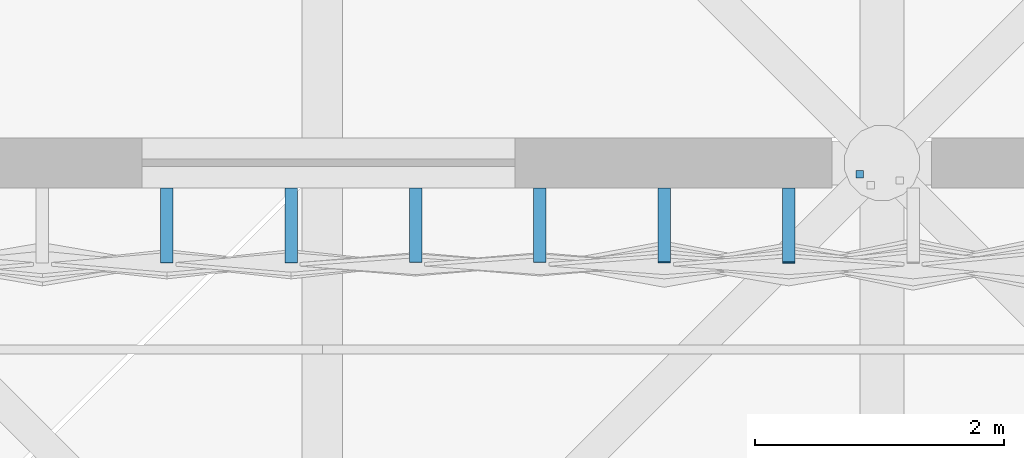
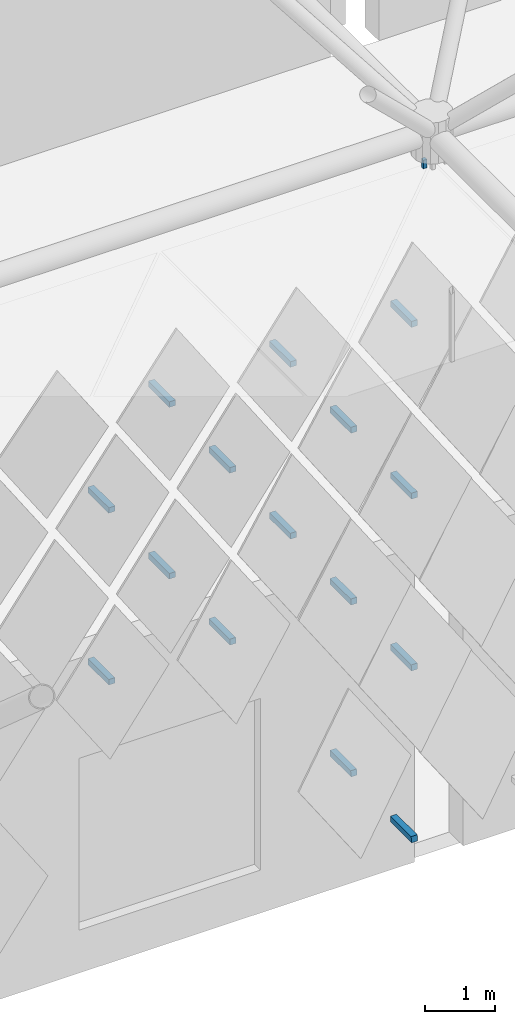
# One storey, part 368 of 437: 16 discrete accessories.
"""IFC4 building model written with IfcOpenShell, lengths in metres."""

from ifc_helpers import new_model, si_unit, direction, frame, origin, place, context, subcontext, project, spatial, polyline, outline, extrude, material, type_object, element, save


model = new_model("IFC4")

# Units and contexts
model_context = context("Model", 3, precision=1e-05, world=origin(), true_north=direction((0.0, 1.0)))
body_context = subcontext(model_context, "Body", "Model", "MODEL_VIEW")
ifc_project = project(units=[si_unit("LENGTHUNIT", "METRE"), si_unit("AREAUNIT", "SQUARE_METRE"), si_unit("VOLUMEUNIT", "CUBIC_METRE"), si_unit("PLANEANGLEUNIT", "RADIAN"), si_unit("MASSUNIT", "GRAM", prefix="KILO")], contexts=[model_context])

# Site, building, storey
site_placement = place(None, origin())
site = spatial("IfcSite", under=ifc_project, at=site_placement, CompositionType="ELEMENT")
building_placement = place(site_placement, origin())
building = spatial("IfcBuilding", under=site, at=building_placement, Name="Opaline Strait Convention Centre", CompositionType="ELEMENT")
storey_placement = place(building_placement, frame((0.0, 0.0, 11.5)))
storey = spatial("IfcBuildingStorey", under=building, at=storey_placement, Name="L02", CompositionType="ELEMENT", Elevation=11.5)

# Discrete accessories
ifc_material = material(Name="Steel Q355B", Category="steel")
discrete_accessory_type_1 = type_object("IfcDiscreteAccessoryType", Name="Soffit hanger 60x60 steel", PredefinedType="BRACKET", material=ifc_material)
discrete_accessory_1_placement = place(storey_placement, frame((0.0, 0.0, 11.989990234375)))
element("IfcDiscreteAccessory", 1, at=discrete_accessory_1_placement, inside=storey, type_object=discrete_accessory_type_1, Name="Soffit hanger", PredefinedType="BRACKET", context=body_context, shape_type="SweptSolid", body=[
    extrude(outline(polyline([(197.791015625, 53.880859375), (197.85107421875, 53.880859375), (197.85107421875, 53.940673828125), (197.791015625, 53.940673828125), (197.791015625, 53.880859375)])), origin(), (0.0, 0.0, 1.0), 0.14990234375),
])
discrete_accessory_type_2 = type_object("IfcDiscreteAccessoryType", Name="Tile bracket 100x100 steel", PredefinedType="BRACKET", material=ifc_material)
discrete_accessory_2_placement = place(storey_placement, frame((197.199951171875, 53.800048828125, 0.89208984375), z_axis=(1.0, 0.0, 0.0), x_axis=(0.0, 1.0, 0.0)))
element("IfcDiscreteAccessory", 2, at=discrete_accessory_2_placement, inside=storey, type_object=discrete_accessory_type_2, Name="Tile bracket XT16 S", PredefinedType="BRACKET", context=body_context, shape_type="SweptSolid", body=[
    extrude(outline(polyline([(0.0, -0.050048828125), (0.0, 0.050048828125), (-0.593017578125, 0.050048828125), (-0.60693359375, -0.050048828125), (0.0, -0.050048828125)])), origin(), (0.0, 0.0, 1.0), 0.10009765625),
])
discrete_accessory_3_placement = place(storey_placement, frame((196.199951171875, 53.800048828125, 2.39208984375), z_axis=(1.0, 0.0, 0.0), x_axis=(0.0, 1.0, 0.0)))
element("IfcDiscreteAccessory", 3, at=discrete_accessory_3_placement, inside=storey, type_object=discrete_accessory_type_2, Name="Tile bracket XT14 S", PredefinedType="BRACKET", context=body_context, shape_type="SweptSolid", body=[
    extrude(outline(polyline([(0.0, -0.050048828125), (0.0, 0.050048828125), (-0.59375, 0.050048828125), (-0.606201171875, -0.050048828125), (0.0, -0.050048828125)])), origin(), (0.0, 0.0, 1.0), 0.10009765625),
])
discrete_accessory_4_placement = place(storey_placement, frame((197.199951171875, 53.800048828125, 3.89208984375), z_axis=(1.0, 0.0, 0.0), x_axis=(0.0, 1.0, 0.0)))
element("IfcDiscreteAccessory", 4, at=discrete_accessory_4_placement, inside=storey, type_object=discrete_accessory_type_2, Name="Tile bracket XT13 S", PredefinedType="BRACKET", context=body_context, shape_type="SweptSolid", body=[
    extrude(outline(polyline([(0.0, -0.050048828125), (0.0, 0.050048828125), (-0.59423828125, 0.050048828125), (-0.605712890625, -0.050048828125), (0.0, -0.050048828125)])), origin(), (0.0, 0.0, 1.0), 0.10009765625),
])
discrete_accessory_5_placement = place(storey_placement, frame((192.199951171875, 53.800048828125, 5.39208984375), z_axis=(1.0, 0.0, 0.0), x_axis=(0.0, 1.0, 0.0)))
element("IfcDiscreteAccessory", 5, at=discrete_accessory_5_placement, inside=storey, type_object=discrete_accessory_type_2, Name="Tile bracket XT06 S", PredefinedType="BRACKET", context=body_context, shape_type="SweptSolid", body=[
    extrude(outline(polyline([(0.0, -0.050048828125), (0.0, 0.050048828125), (-0.6025390625, 0.050048828125), (-0.597412109375, -0.050048828125), (0.0, -0.050048828125)])), origin(), (0.0, 0.0, 1.0), 0.10009765625),
])
discrete_accessory_6_placement = place(storey_placement, frame((194.199951171875, 53.800048828125, 5.39208984375), z_axis=(1.0, 0.0, 0.0), x_axis=(0.0, 1.0, 0.0)))
element("IfcDiscreteAccessory", 6, at=discrete_accessory_6_placement, inside=storey, type_object=discrete_accessory_type_2, Name="Tile bracket XT06 S", PredefinedType="BRACKET", context=body_context, shape_type="SweptSolid", body=[
    extrude(outline(polyline([(0.0, -0.050048828125), (0.0, 0.050048828125), (-0.597412109375, 0.050048828125), (-0.6025390625, -0.050048828125), (0.0, -0.050048828125)])), origin(), (0.0, 0.0, 1.0), 0.10009765625),
])
discrete_accessory_7_placement = place(storey_placement, frame((196.199951171875, 53.800048828125, 5.39208984375), z_axis=(1.0, 0.0, 0.0), x_axis=(0.0, 1.0, 0.0)))
element("IfcDiscreteAccessory", 7, at=discrete_accessory_7_placement, inside=storey, type_object=discrete_accessory_type_2, Name="Tile bracket XT09 S", PredefinedType="BRACKET", context=body_context, shape_type="SweptSolid", body=[
    extrude(outline(polyline([(0.0, -0.050048828125), (0.0, 0.050048828125), (-0.595947265625, 0.050048828125), (-0.60400390625, -0.050048828125), (0.0, -0.050048828125)])), origin(), (0.0, 0.0, 1.0), 0.10009765625),
])
discrete_accessory_8_placement = place(storey_placement, frame((193.199951171875, 53.800048828125, 6.89208984375), z_axis=(1.0, 0.0, 0.0), x_axis=(0.0, 1.0, 0.0)))
element("IfcDiscreteAccessory", 8, at=discrete_accessory_8_placement, inside=storey, type_object=discrete_accessory_type_2, Name="Tile bracket XT06 S", PredefinedType="BRACKET", context=body_context, shape_type="SweptSolid", body=[
    extrude(outline(polyline([(0.0, -0.050048828125), (0.0, 0.050048828125), (-0.6025390625, 0.050048828125), (-0.597412109375, -0.050048828125), (0.0, -0.050048828125)])), origin(), (0.0, 0.0, 1.0), 0.10009765625),
])
discrete_accessory_9_placement = place(storey_placement, frame((195.199951171875, 53.800048828125, 6.89208984375), z_axis=(1.0, 0.0, 0.0), x_axis=(0.0, 1.0, 0.0)))
element("IfcDiscreteAccessory", 9, at=discrete_accessory_9_placement, inside=storey, type_object=discrete_accessory_type_2, Name="Tile bracket XT06 S", PredefinedType="BRACKET", context=body_context, shape_type="SweptSolid", body=[
    extrude(outline(polyline([(0.0, -0.050048828125), (0.0, 0.050048828125), (-0.597412109375, 0.050048828125), (-0.6025390625, -0.050048828125), (0.0, -0.050048828125)])), origin(), (0.0, 0.0, 1.0), 0.10009765625),
])
discrete_accessory_10_placement = place(storey_placement, frame((197.199951171875, 53.800048828125, 6.89208984375), z_axis=(1.0, 0.0, 0.0), x_axis=(0.0, 1.0, 0.0)))
element("IfcDiscreteAccessory", 10, at=discrete_accessory_10_placement, inside=storey, type_object=discrete_accessory_type_2, Name="Tile bracket XT09 S", PredefinedType="BRACKET", context=body_context, shape_type="SweptSolid", body=[
    extrude(outline(polyline([(0.0, -0.050048828125), (0.0, 0.050048828125), (-0.595947265625, 0.050048828125), (-0.60400390625, -0.050048828125), (0.0, -0.050048828125)])), origin(), (0.0, 0.0, 1.0), 0.10009765625),
])
discrete_accessory_11_placement = place(storey_placement, frame((192.199951171875, 53.800048828125, 8.39208984375), z_axis=(1.0, 0.0, 0.0), x_axis=(0.0, 1.0, 0.0)))
element("IfcDiscreteAccessory", 11, at=discrete_accessory_11_placement, inside=storey, type_object=discrete_accessory_type_2, Name="Tile bracket XT08 S", PredefinedType="BRACKET", context=body_context, shape_type="SweptSolid", body=[
    extrude(outline(polyline([(0.0, -0.050048828125), (0.0, 0.050048828125), (-0.603515625, 0.050048828125), (-0.596435546875, -0.050048828125), (0.0, -0.050048828125)])), origin(), (0.0, 0.0, 1.0), 0.10009765625),
])
discrete_accessory_12_placement = place(storey_placement, frame((194.199951171875, 53.800048828125, 8.39208984375), z_axis=(1.0, 0.0, 0.0), x_axis=(0.0, 1.0, 0.0)))
element("IfcDiscreteAccessory", 12, at=discrete_accessory_12_placement, inside=storey, type_object=discrete_accessory_type_2, Name="Tile bracket XT06 S", PredefinedType="BRACKET", context=body_context, shape_type="SweptSolid", body=[
    extrude(outline(polyline([(0.0, -0.050048828125), (0.0, 0.050048828125), (-0.6025390625, 0.050048828125), (-0.597412109375, -0.050048828125), (0.0, -0.050048828125)])), origin(), (0.0, 0.0, 1.0), 0.10009765625),
])
discrete_accessory_13_placement = place(storey_placement, frame((196.199951171875, 53.800048828125, 8.39208984375), z_axis=(1.0, 0.0, 0.0), x_axis=(0.0, 1.0, 0.0)))
element("IfcDiscreteAccessory", 13, at=discrete_accessory_13_placement, inside=storey, type_object=discrete_accessory_type_2, Name="Tile bracket XT06 S", PredefinedType="BRACKET", context=body_context, shape_type="SweptSolid", body=[
    extrude(outline(polyline([(0.0, -0.050048828125), (0.0, 0.050048828125), (-0.597412109375, 0.050048828125), (-0.6025390625, -0.050048828125), (0.0, -0.050048828125)])), origin(), (0.0, 0.0, 1.0), 0.10009765625),
])
discrete_accessory_14_placement = place(storey_placement, frame((193.199951171875, 53.800048828125, 9.89208984375), z_axis=(1.0, 0.0, 0.0), x_axis=(0.0, 1.0, 0.0)))
element("IfcDiscreteAccessory", 14, at=discrete_accessory_14_placement, inside=storey, type_object=discrete_accessory_type_2, Name="Tile bracket XT08 S", PredefinedType="BRACKET", context=body_context, shape_type="SweptSolid", body=[
    extrude(outline(polyline([(0.0, -0.050048828125), (0.0, 0.050048828125), (-0.603515625, 0.050048828125), (-0.596435546875, -0.050048828125), (0.0, -0.050048828125)])), origin(), (0.0, 0.0, 1.0), 0.10009765625),
])
discrete_accessory_15_placement = place(storey_placement, frame((195.199951171875, 53.800048828125, 9.89208984375), z_axis=(1.0, 0.0, 0.0), x_axis=(0.0, 1.0, 0.0)))
element("IfcDiscreteAccessory", 15, at=discrete_accessory_15_placement, inside=storey, type_object=discrete_accessory_type_2, Name="Tile bracket XT06 S", PredefinedType="BRACKET", context=body_context, shape_type="SweptSolid", body=[
    extrude(outline(polyline([(0.0, -0.050048828125), (0.0, 0.050048828125), (-0.6025390625, 0.050048828125), (-0.597412109375, -0.050048828125), (0.0, -0.050048828125)])), origin(), (0.0, 0.0, 1.0), 0.10009765625),
])
discrete_accessory_16_placement = place(storey_placement, frame((197.199951171875, 53.800048828125, 9.89208984375), z_axis=(1.0, 0.0, 0.0), x_axis=(0.0, 1.0, 0.0)))
element("IfcDiscreteAccessory", 16, at=discrete_accessory_16_placement, inside=storey, type_object=discrete_accessory_type_2, Name="Tile bracket XT06 S", PredefinedType="BRACKET", context=body_context, shape_type="SweptSolid", body=[
    extrude(outline(polyline([(0.0, -0.050048828125), (0.0, 0.050048828125), (-0.597412109375, 0.050048828125), (-0.6025390625, -0.050048828125), (0.0, -0.050048828125)])), origin(), (0.0, 0.0, 1.0), 0.10009765625),
])

save(model, "model.ifc")
